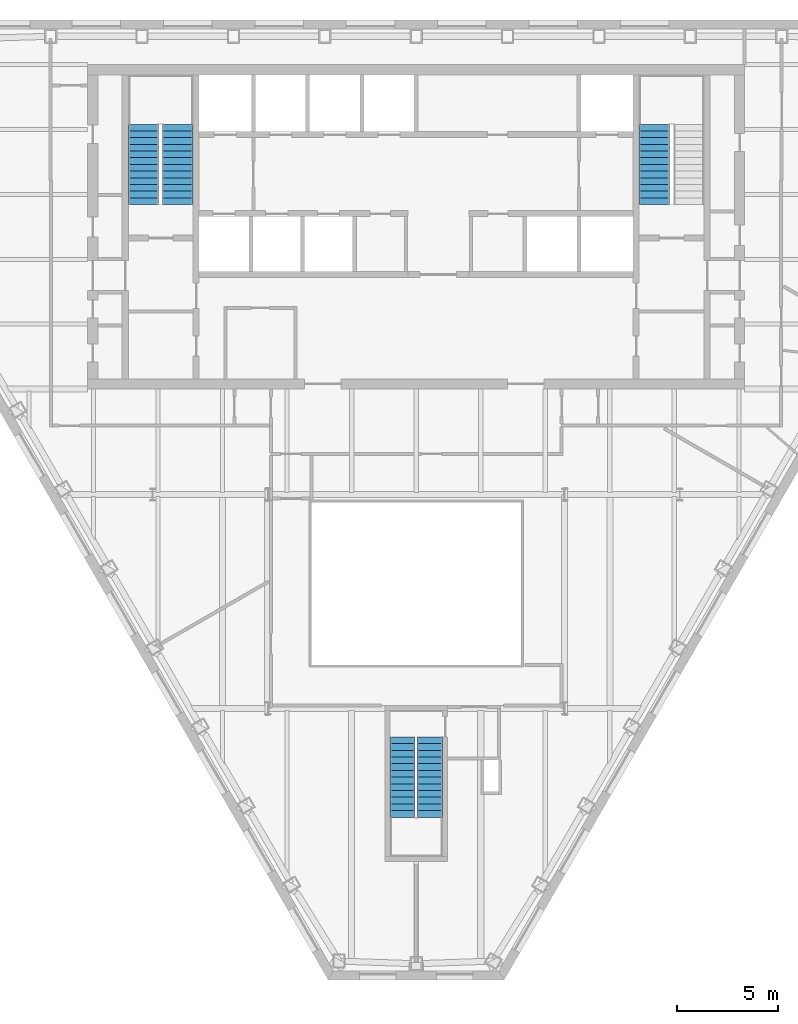
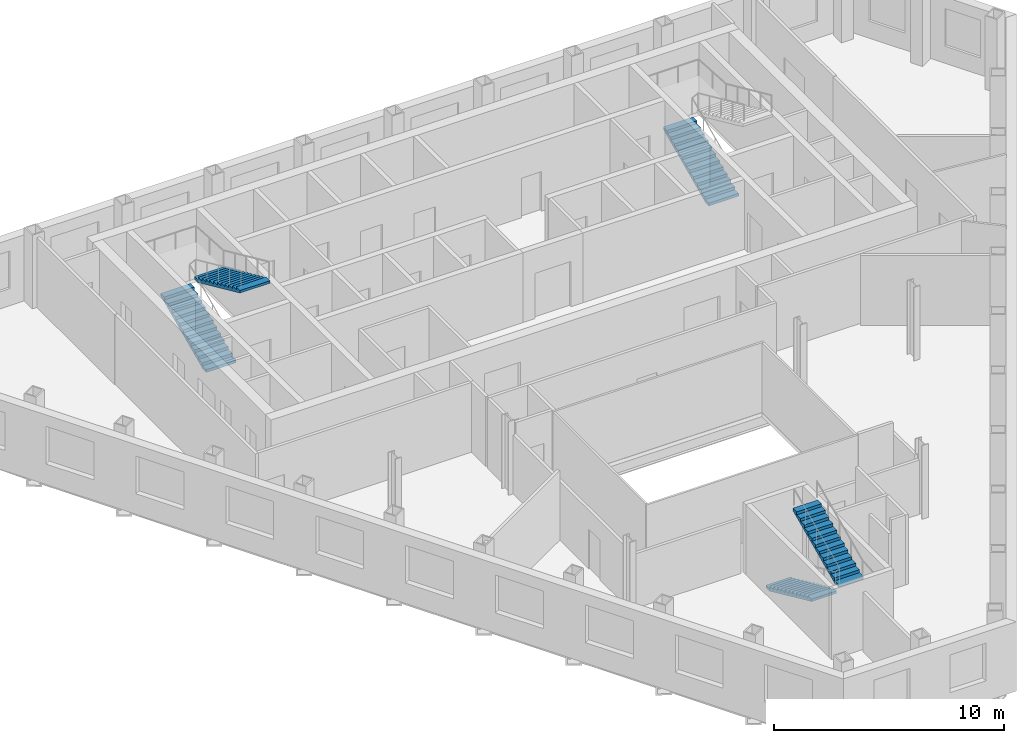
# One storey, part 9 of 11: 5 stair flights, 3 elements without a shape of their own.
"""IFC4 building model written with IfcOpenShell, lengths in metres."""

from ifc_helpers import new_model, si_unit, direction, frame, origin, place, context, subcontext, project, spatial, polygons, material, type_object, element, aggregate, save


model = new_model("IFC4")

# Units and contexts
model_context = context("Model", 3, precision=1e-05, world=origin(), true_north=direction((0.0, 1.0)))
body_context = subcontext(model_context, "Body", "Model", "MODEL_VIEW")
ifc_project = project(units=[si_unit("LENGTHUNIT", "METRE"), si_unit("AREAUNIT", "SQUARE_METRE"), si_unit("VOLUMEUNIT", "CUBIC_METRE"), si_unit("PLANEANGLEUNIT", "RADIAN"), si_unit("MASSUNIT", "GRAM", prefix="KILO")], contexts=[model_context])

# Site, building, storey
site_placement = place(None, origin())
site = spatial("IfcSite", under=ifc_project, at=site_placement, CompositionType="ELEMENT")
building_placement = place(site_placement, origin())
building = spatial("IfcBuilding", under=site, at=building_placement, Name="Njiva Tower", CompositionType="ELEMENT")
storey_placement = place(building_placement, frame((0.0, 0.0, 151.5)))
storey = spatial("IfcBuildingStorey", under=building, at=storey_placement, Name="L32", CompositionType="ELEMENT", Elevation=151.5)

# Stair, stair flights
ifc_material = material(Name="Concrete C40/50", Category="concrete")
stair_type_1 = type_object("IfcStairType", Name="ST1 Exit stair 1250", PredefinedType="HALF_TURN_STAIR", material=ifc_material)
stair_1_placement = place(storey_placement, origin())
stair_1 = element("IfcStair", 1, at=stair_1_placement, inside=storey, type_object=stair_type_1, Name="Stair C", PredefinedType="HALF_TURN_STAIR")
stair_flight_type_1 = type_object("IfcStairFlightType", Name="FL1 Stair flight 1250", PredefinedType="STRAIGHT", material=ifc_material)
stair_flight_1_placement = place(storey_placement, frame((-0.675, -15.16, 0.0), z_axis=(0.0, 0.0, 1.0), x_axis=(0.0, -1.0, 0.0)))
stair_flight_1 = element("IfcStairFlight", 2, at=stair_flight_1_placement, type_object=stair_flight_type_1, Name="ST-C flight 1", NumberOfRisers=13, NumberOfTreads=12, PredefinedType="STRAIGHT", RiserHeight=0.15, TreadLength=0.33, context=body_context, shape_type="Tessellation", body=[
    polygons([(0.0, 0.625, 0.0), (0.0, 0.3125, 0.0), (0.0, 0.0, 0.0), (0.0, -0.3125, 0.0), (0.0, -0.625, 0.0), (0.0, 0.625, 0.15), (0.0, 0.3125, 0.15), (0.0, 0.0, 0.15), (0.0, -0.3125, 0.15), (0.0, -0.625, 0.15), (0.33, 0.625, 0.15), (0.33, 0.3125, 0.15), (0.33, 0.0, 0.15), (0.33, -0.3125, 0.15), (0.33, -0.625, 0.15), (0.33, 0.625, 0.3), (0.33, 0.3125, 0.3), (0.33, 0.0, 0.3), (0.33, -0.3125, 0.3), (0.33, -0.625, 0.3), (0.66, 0.625, 0.3), (0.66, 0.3125, 0.3), (0.66, 0.0, 0.3), (0.66, -0.3125, 0.3), (0.66, -0.625, 0.3), (0.66, 0.625, 0.45), (0.66, 0.3125, 0.45), (0.66, 0.0, 0.45), (0.66, -0.3125, 0.45), (0.66, -0.625, 0.45), (0.99, 0.625, 0.45), (0.99, 0.3125, 0.45), (0.99, 0.0, 0.45), (0.99, -0.3125, 0.45), (0.99, -0.625, 0.45), (0.99, 0.625, 0.6), (0.99, 0.3125, 0.6), (0.99, 0.0, 0.6), (0.99, -0.3125, 0.6), (0.99, -0.625, 0.6), (1.32, 0.625, 0.6), (1.32, 0.3125, 0.6), (1.32, 0.0, 0.6), (1.32, -0.3125, 0.6), (1.32, -0.625, 0.6), (1.32, 0.625, 0.75), (1.32, 0.3125, 0.75), (1.32, 0.0, 0.75), (1.32, -0.3125, 0.75), (1.32, -0.625, 0.75), (1.65, 0.625, 0.75), (1.65, 0.3125, 0.75), (1.65, 0.0, 0.75), (1.65, -0.3125, 0.75), (1.65, -0.625, 0.75), (1.65, 0.625, 0.9), (1.65, 0.3125, 0.9), (1.65, 0.0, 0.9), (1.65, -0.3125, 0.9), (1.65, -0.625, 0.9), (1.98, 0.625, 0.9), (1.98, 0.3125, 0.9), (1.98, 0.0, 0.9), (1.98, -0.3125, 0.9), (1.98, -0.625, 0.9), (1.98, 0.625, 1.05), (1.98, 0.3125, 1.05), (1.98, 0.0, 1.05), (1.98, -0.3125, 1.05), (1.98, -0.625, 1.05), (2.31, 0.625, 1.05), (2.31, 0.3125, 1.05), (2.31, 0.0, 1.05), (2.31, -0.3125, 1.05), (2.31, -0.625, 1.05), (2.31, 0.625, 1.2), (2.31, 0.3125, 1.2), (2.31, 0.0, 1.2), (2.31, -0.3125, 1.2), (2.31, -0.625, 1.2), (2.64, 0.625, 1.2), (2.64, 0.3125, 1.2), (2.64, 0.0, 1.2), (2.64, -0.3125, 1.2), (2.64, -0.625, 1.2), (2.64, 0.625, 1.35), (2.64, 0.3125, 1.35), (2.64, 0.0, 1.35), (2.64, -0.3125, 1.35), (2.64, -0.625, 1.35), (2.97, 0.625, 1.35), (2.97, 0.3125, 1.35), (2.97, 0.0, 1.35), (2.97, -0.3125, 1.35), (2.97, -0.625, 1.35), (2.97, 0.625, 1.5), (2.97, 0.3125, 1.5), (2.97, 0.0, 1.5), (2.97, -0.3125, 1.5), (2.97, -0.625, 1.5), (3.3, 0.625, 1.5), (3.3, 0.3125, 1.5), (3.3, 0.0, 1.5), (3.3, -0.3125, 1.5), (3.3, -0.625, 1.5), (3.3, 0.625, 1.65), (3.3, 0.3125, 1.65), (3.3, 0.0, 1.65), (3.3, -0.3125, 1.65), (3.3, -0.625, 1.65), (3.63, 0.625, 1.65), (3.63, 0.3125, 1.65), (3.63, 0.0, 1.65), (3.63, -0.3125, 1.65), (3.63, -0.625, 1.65), (3.63, 0.625, 1.8), (3.63, 0.3125, 1.8), (3.63, 0.0, 1.8), (3.63, -0.3125, 1.8), (3.63, -0.625, 1.8), (3.96, 0.625, 1.8), (3.96, 0.3125, 1.8), (3.96, 0.0, 1.8), (3.96, -0.3125, 1.8), (3.96, -0.625, 1.8), (3.96, 0.625, 1.6682), (3.96, 0.3125, 1.6682), (3.96, 0.0, 1.6682), (3.96, -0.3125, 1.6682), (3.96, -0.625, 1.6682), (0.29, 0.625, 0.0), (0.29, 0.3125, 0.0), (0.29, 0.0, 0.0), (0.29, -0.3125, 0.0), (0.29, -0.625, 0.0)], [[[1, 6, 11, 16, 21, 26, 31, 36, 41, 46, 51, 56, 61, 66, 71, 76, 81, 86, 91, 96, 101, 106, 111, 116, 121, 126, 131]], [[135, 130, 125, 120, 115, 110, 105, 100, 95, 90, 85, 80, 75, 70, 65, 60, 55, 50, 45, 40, 35, 30, 25, 20, 15, 10, 5]], [[6, 1, 2, 7]], [[7, 2, 3, 8]], [[8, 3, 4, 9]], [[9, 4, 5, 10]], [[11, 6, 7, 12]], [[12, 7, 8, 13]], [[13, 8, 9, 14]], [[14, 9, 10, 15]], [[16, 11, 12, 17]], [[17, 12, 13, 18]], [[18, 13, 14, 19]], [[19, 14, 15, 20]], [[21, 16, 17, 22]], [[22, 17, 18, 23]], [[23, 18, 19, 24]], [[24, 19, 20, 25]], [[26, 21, 22, 27]], [[27, 22, 23, 28]], [[28, 23, 24, 29]], [[29, 24, 25, 30]], [[31, 26, 27, 32]], [[32, 27, 28, 33]], [[33, 28, 29, 34]], [[34, 29, 30, 35]], [[36, 31, 32, 37]], [[37, 32, 33, 38]], [[38, 33, 34, 39]], [[39, 34, 35, 40]], [[41, 36, 37, 42]], [[42, 37, 38, 43]], [[43, 38, 39, 44]], [[44, 39, 40, 45]], [[46, 41, 42, 47]], [[47, 42, 43, 48]], [[48, 43, 44, 49]], [[49, 44, 45, 50]], [[51, 46, 47, 52]], [[52, 47, 48, 53]], [[53, 48, 49, 54]], [[54, 49, 50, 55]], [[56, 51, 52, 57]], [[57, 52, 53, 58]], [[58, 53, 54, 59]], [[59, 54, 55, 60]], [[61, 56, 57, 62]], [[62, 57, 58, 63]], [[63, 58, 59, 64]], [[64, 59, 60, 65]], [[66, 61, 62, 67]], [[67, 62, 63, 68]], [[68, 63, 64, 69]], [[69, 64, 65, 70]], [[71, 66, 67, 72]], [[72, 67, 68, 73]], [[73, 68, 69, 74]], [[74, 69, 70, 75]], [[76, 71, 72, 77]], [[77, 72, 73, 78]], [[78, 73, 74, 79]], [[79, 74, 75, 80]], [[81, 76, 77, 82]], [[82, 77, 78, 83]], [[83, 78, 79, 84]], [[84, 79, 80, 85]], [[86, 81, 82, 87]], [[87, 82, 83, 88]], [[88, 83, 84, 89]], [[89, 84, 85, 90]], [[91, 86, 87, 92]], [[92, 87, 88, 93]], [[93, 88, 89, 94]], [[94, 89, 90, 95]], [[96, 91, 92, 97]], [[97, 92, 93, 98]], [[98, 93, 94, 99]], [[99, 94, 95, 100]], [[101, 96, 97, 102]], [[102, 97, 98, 103]], [[103, 98, 99, 104]], [[104, 99, 100, 105]], [[106, 101, 102, 107]], [[107, 102, 103, 108]], [[108, 103, 104, 109]], [[109, 104, 105, 110]], [[111, 106, 107, 112]], [[112, 107, 108, 113]], [[113, 108, 109, 114]], [[114, 109, 110, 115]], [[116, 111, 112, 117]], [[117, 112, 113, 118]], [[118, 113, 114, 119]], [[119, 114, 115, 120]], [[121, 116, 117, 122]], [[122, 117, 118, 123]], [[123, 118, 119, 124]], [[124, 119, 120, 125]], [[126, 121, 122, 127]], [[127, 122, 123, 128]], [[128, 123, 124, 129]], [[129, 124, 125, 130]], [[131, 126, 127, 132]], [[132, 127, 128, 133]], [[133, 128, 129, 134]], [[134, 129, 130, 135]], [[1, 131, 132, 2]], [[2, 132, 133, 3]], [[3, 133, 134, 4]], [[4, 134, 135, 5]]], closed=True),
])
stair_flight_2_placement = place(storey_placement, frame((0.675, -19.12, 1.95), z_axis=(0.0, 0.0, 1.0), x_axis=(0.0, 1.0, 0.0)))
stair_flight_2 = element("IfcStairFlight", 3, at=stair_flight_2_placement, type_object=stair_flight_type_1, Name="ST-C flight 2", NumberOfRisers=13, NumberOfTreads=12, PredefinedType="STRAIGHT", RiserHeight=0.15, TreadLength=0.33, context=body_context, shape_type="Tessellation", body=[
    polygons([(0.0, 0.625, 0.0), (0.0, 0.3125, 0.0), (0.0, 0.0, 0.0), (0.0, -0.3125, 0.0), (0.0, -0.625, 0.0), (0.0, 0.625, 0.15), (0.0, 0.3125, 0.15), (0.0, 0.0, 0.15), (0.0, -0.3125, 0.15), (0.0, -0.625, 0.15), (0.33, 0.625, 0.15), (0.33, 0.3125, 0.15), (0.33, 0.0, 0.15), (0.33, -0.3125, 0.15), (0.33, -0.625, 0.15), (0.33, 0.625, 0.3), (0.33, 0.3125, 0.3), (0.33, 0.0, 0.3), (0.33, -0.3125, 0.3), (0.33, -0.625, 0.3), (0.66, 0.625, 0.3), (0.66, 0.3125, 0.3), (0.66, 0.0, 0.3), (0.66, -0.3125, 0.3), (0.66, -0.625, 0.3), (0.66, 0.625, 0.45), (0.66, 0.3125, 0.45), (0.66, 0.0, 0.45), (0.66, -0.3125, 0.45), (0.66, -0.625, 0.45), (0.99, 0.625, 0.45), (0.99, 0.3125, 0.45), (0.99, 0.0, 0.45), (0.99, -0.3125, 0.45), (0.99, -0.625, 0.45), (0.99, 0.625, 0.6), (0.99, 0.3125, 0.6), (0.99, 0.0, 0.6), (0.99, -0.3125, 0.6), (0.99, -0.625, 0.6), (1.32, 0.625, 0.6), (1.32, 0.3125, 0.6), (1.32, 0.0, 0.6), (1.32, -0.3125, 0.6), (1.32, -0.625, 0.6), (1.32, 0.625, 0.75), (1.32, 0.3125, 0.75), (1.32, 0.0, 0.75), (1.32, -0.3125, 0.75), (1.32, -0.625, 0.75), (1.65, 0.625, 0.75), (1.65, 0.3125, 0.75), (1.65, 0.0, 0.75), (1.65, -0.3125, 0.75), (1.65, -0.625, 0.75), (1.65, 0.625, 0.9), (1.65, 0.3125, 0.9), (1.65, 0.0, 0.9), (1.65, -0.3125, 0.9), (1.65, -0.625, 0.9), (1.98, 0.625, 0.9), (1.98, 0.3125, 0.9), (1.98, 0.0, 0.9), (1.98, -0.3125, 0.9), (1.98, -0.625, 0.9), (1.98, 0.625, 1.05), (1.98, 0.3125, 1.05), (1.98, 0.0, 1.05), (1.98, -0.3125, 1.05), (1.98, -0.625, 1.05), (2.31, 0.625, 1.05), (2.31, 0.3125, 1.05), (2.31, 0.0, 1.05), (2.31, -0.3125, 1.05), (2.31, -0.625, 1.05), (2.31, 0.625, 1.2), (2.31, 0.3125, 1.2), (2.31, 0.0, 1.2), (2.31, -0.3125, 1.2), (2.31, -0.625, 1.2), (2.64, 0.625, 1.2), (2.64, 0.3125, 1.2), (2.64, 0.0, 1.2), (2.64, -0.3125, 1.2), (2.64, -0.625, 1.2), (2.64, 0.625, 1.35), (2.64, 0.3125, 1.35), (2.64, 0.0, 1.35), (2.64, -0.3125, 1.35), (2.64, -0.625, 1.35), (2.97, 0.625, 1.35), (2.97, 0.3125, 1.35), (2.97, 0.0, 1.35), (2.97, -0.3125, 1.35), (2.97, -0.625, 1.35), (2.97, 0.625, 1.5), (2.97, 0.3125, 1.5), (2.97, 0.0, 1.5), (2.97, -0.3125, 1.5), (2.97, -0.625, 1.5), (3.3, 0.625, 1.5), (3.3, 0.3125, 1.5), (3.3, 0.0, 1.5), (3.3, -0.3125, 1.5), (3.3, -0.625, 1.5), (3.3, 0.625, 1.65), (3.3, 0.3125, 1.65), (3.3, 0.0, 1.65), (3.3, -0.3125, 1.65), (3.3, -0.625, 1.65), (3.63, 0.625, 1.65), (3.63, 0.3125, 1.65), (3.63, 0.0, 1.65), (3.63, -0.3125, 1.65), (3.63, -0.625, 1.65), (3.63, 0.625, 1.8), (3.63, 0.3125, 1.8), (3.63, 0.0, 1.8), (3.63, -0.3125, 1.8), (3.63, -0.625, 1.8), (3.96, 0.625, 1.8), (3.96, 0.3125, 1.8), (3.96, 0.0, 1.8), (3.96, -0.3125, 1.8), (3.96, -0.625, 1.8), (3.96, 0.625, 1.6682), (3.96, 0.3125, 1.6682), (3.96, 0.0, 1.6682), (3.96, -0.3125, 1.6682), (3.96, -0.625, 1.6682), (0.29, 0.625, 0.0), (0.29, 0.3125, 0.0), (0.29, 0.0, 0.0), (0.29, -0.3125, 0.0), (0.29, -0.625, 0.0)], [[[1, 6, 11, 16, 21, 26, 31, 36, 41, 46, 51, 56, 61, 66, 71, 76, 81, 86, 91, 96, 101, 106, 111, 116, 121, 126, 131]], [[135, 130, 125, 120, 115, 110, 105, 100, 95, 90, 85, 80, 75, 70, 65, 60, 55, 50, 45, 40, 35, 30, 25, 20, 15, 10, 5]], [[6, 1, 2, 7]], [[7, 2, 3, 8]], [[8, 3, 4, 9]], [[9, 4, 5, 10]], [[11, 6, 7, 12]], [[12, 7, 8, 13]], [[13, 8, 9, 14]], [[14, 9, 10, 15]], [[16, 11, 12, 17]], [[17, 12, 13, 18]], [[18, 13, 14, 19]], [[19, 14, 15, 20]], [[21, 16, 17, 22]], [[22, 17, 18, 23]], [[23, 18, 19, 24]], [[24, 19, 20, 25]], [[26, 21, 22, 27]], [[27, 22, 23, 28]], [[28, 23, 24, 29]], [[29, 24, 25, 30]], [[31, 26, 27, 32]], [[32, 27, 28, 33]], [[33, 28, 29, 34]], [[34, 29, 30, 35]], [[36, 31, 32, 37]], [[37, 32, 33, 38]], [[38, 33, 34, 39]], [[39, 34, 35, 40]], [[41, 36, 37, 42]], [[42, 37, 38, 43]], [[43, 38, 39, 44]], [[44, 39, 40, 45]], [[46, 41, 42, 47]], [[47, 42, 43, 48]], [[48, 43, 44, 49]], [[49, 44, 45, 50]], [[51, 46, 47, 52]], [[52, 47, 48, 53]], [[53, 48, 49, 54]], [[54, 49, 50, 55]], [[56, 51, 52, 57]], [[57, 52, 53, 58]], [[58, 53, 54, 59]], [[59, 54, 55, 60]], [[61, 56, 57, 62]], [[62, 57, 58, 63]], [[63, 58, 59, 64]], [[64, 59, 60, 65]], [[66, 61, 62, 67]], [[67, 62, 63, 68]], [[68, 63, 64, 69]], [[69, 64, 65, 70]], [[71, 66, 67, 72]], [[72, 67, 68, 73]], [[73, 68, 69, 74]], [[74, 69, 70, 75]], [[76, 71, 72, 77]], [[77, 72, 73, 78]], [[78, 73, 74, 79]], [[79, 74, 75, 80]], [[81, 76, 77, 82]], [[82, 77, 78, 83]], [[83, 78, 79, 84]], [[84, 79, 80, 85]], [[86, 81, 82, 87]], [[87, 82, 83, 88]], [[88, 83, 84, 89]], [[89, 84, 85, 90]], [[91, 86, 87, 92]], [[92, 87, 88, 93]], [[93, 88, 89, 94]], [[94, 89, 90, 95]], [[96, 91, 92, 97]], [[97, 92, 93, 98]], [[98, 93, 94, 99]], [[99, 94, 95, 100]], [[101, 96, 97, 102]], [[102, 97, 98, 103]], [[103, 98, 99, 104]], [[104, 99, 100, 105]], [[106, 101, 102, 107]], [[107, 102, 103, 108]], [[108, 103, 104, 109]], [[109, 104, 105, 110]], [[111, 106, 107, 112]], [[112, 107, 108, 113]], [[113, 108, 109, 114]], [[114, 109, 110, 115]], [[116, 111, 112, 117]], [[117, 112, 113, 118]], [[118, 113, 114, 119]], [[119, 114, 115, 120]], [[121, 116, 117, 122]], [[122, 117, 118, 123]], [[123, 118, 119, 124]], [[124, 119, 120, 125]], [[126, 121, 122, 127]], [[127, 122, 123, 128]], [[128, 123, 124, 129]], [[129, 124, 125, 130]], [[131, 126, 127, 132]], [[132, 127, 128, 133]], [[133, 128, 129, 134]], [[134, 129, 130, 135]], [[1, 131, 132, 2]], [[2, 132, 133, 3]], [[3, 133, 134, 4]], [[4, 134, 135, 5]]], closed=True),
])
aggregate(stair_1, [stair_flight_1, stair_flight_2])

stair_type_2 = type_object("IfcStairType", Name="ST4 Exit stair 1500", PredefinedType="HALF_TURN_STAIR", material=ifc_material)
stair_2_placement = place(storey_placement, origin())
stair_2 = element("IfcStair", 4, at=stair_2_placement, inside=storey, type_object=stair_type_2, Name="Stair A", PredefinedType="HALF_TURN_STAIR")
stair_flight_type_2 = type_object("IfcStairFlightType", Name="FL4 Stair flight 1500", PredefinedType="STRAIGHT", material=ifc_material)
stair_flight_3_placement = place(storey_placement, frame((-13.45, 11.1, 0.0), z_axis=(0.0, 0.0, 1.0), x_axis=(0.0, 1.0, 0.0)))
stair_flight_3 = element("IfcStairFlight", 5, at=stair_flight_3_placement, type_object=stair_flight_type_2, Name="ST-A flight 1", NumberOfRisers=13, NumberOfTreads=12, PredefinedType="STRAIGHT", RiserHeight=0.15, TreadLength=0.33, context=body_context, shape_type="Tessellation", body=[
    polygons([(0.0, 0.75, 0.0), (0.0, 0.375, 0.0), (0.0, 0.0, 0.0), (0.0, -0.375, 0.0), (0.0, -0.75, 0.0), (0.0, 0.75, 0.15), (0.0, 0.375, 0.15), (0.0, 0.0, 0.15), (0.0, -0.375, 0.15), (0.0, -0.75, 0.15), (0.33, 0.75, 0.15), (0.33, 0.375, 0.15), (0.33, 0.0, 0.15), (0.33, -0.375, 0.15), (0.33, -0.75, 0.15), (0.33, 0.75, 0.3), (0.33, 0.375, 0.3), (0.33, 0.0, 0.3), (0.33, -0.375, 0.3), (0.33, -0.75, 0.3), (0.66, 0.75, 0.3), (0.66, 0.375, 0.3), (0.66, 0.0, 0.3), (0.66, -0.375, 0.3), (0.66, -0.75, 0.3), (0.66, 0.75, 0.45), (0.66, 0.375, 0.45), (0.66, 0.0, 0.45), (0.66, -0.375, 0.45), (0.66, -0.75, 0.45), (0.99, 0.75, 0.45), (0.99, 0.375, 0.45), (0.99, 0.0, 0.45), (0.99, -0.375, 0.45), (0.99, -0.75, 0.45), (0.99, 0.75, 0.6), (0.99, 0.375, 0.6), (0.99, 0.0, 0.6), (0.99, -0.375, 0.6), (0.99, -0.75, 0.6), (1.32, 0.75, 0.6), (1.32, 0.375, 0.6), (1.32, 0.0, 0.6), (1.32, -0.375, 0.6), (1.32, -0.75, 0.6), (1.32, 0.75, 0.75), (1.32, 0.375, 0.75), (1.32, 0.0, 0.75), (1.32, -0.375, 0.75), (1.32, -0.75, 0.75), (1.65, 0.75, 0.75), (1.65, 0.375, 0.75), (1.65, 0.0, 0.75), (1.65, -0.375, 0.75), (1.65, -0.75, 0.75), (1.65, 0.75, 0.9), (1.65, 0.375, 0.9), (1.65, 0.0, 0.9), (1.65, -0.375, 0.9), (1.65, -0.75, 0.9), (1.98, 0.75, 0.9), (1.98, 0.375, 0.9), (1.98, 0.0, 0.9), (1.98, -0.375, 0.9), (1.98, -0.75, 0.9), (1.98, 0.75, 1.05), (1.98, 0.375, 1.05), (1.98, 0.0, 1.05), (1.98, -0.375, 1.05), (1.98, -0.75, 1.05), (2.31, 0.75, 1.05), (2.31, 0.375, 1.05), (2.31, 0.0, 1.05), (2.31, -0.375, 1.05), (2.31, -0.75, 1.05), (2.31, 0.75, 1.2), (2.31, 0.375, 1.2), (2.31, 0.0, 1.2), (2.31, -0.375, 1.2), (2.31, -0.75, 1.2), (2.64, 0.75, 1.2), (2.64, 0.375, 1.2), (2.64, 0.0, 1.2), (2.64, -0.375, 1.2), (2.64, -0.75, 1.2), (2.64, 0.75, 1.35), (2.64, 0.375, 1.35), (2.64, 0.0, 1.35), (2.64, -0.375, 1.35), (2.64, -0.75, 1.35), (2.97, 0.75, 1.35), (2.97, 0.375, 1.35), (2.97, 0.0, 1.35), (2.97, -0.375, 1.35), (2.97, -0.75, 1.35), (2.97, 0.75, 1.5), (2.97, 0.375, 1.5), (2.97, 0.0, 1.5), (2.97, -0.375, 1.5), (2.97, -0.75, 1.5), (3.3, 0.75, 1.5), (3.3, 0.375, 1.5), (3.3, 0.0, 1.5), (3.3, -0.375, 1.5), (3.3, -0.75, 1.5), (3.3, 0.75, 1.65), (3.3, 0.375, 1.65), (3.3, 0.0, 1.65), (3.3, -0.375, 1.65), (3.3, -0.75, 1.65), (3.63, 0.75, 1.65), (3.63, 0.375, 1.65), (3.63, 0.0, 1.65), (3.63, -0.375, 1.65), (3.63, -0.75, 1.65), (3.63, 0.75, 1.8), (3.63, 0.375, 1.8), (3.63, 0.0, 1.8), (3.63, -0.375, 1.8), (3.63, -0.75, 1.8), (3.96, 0.75, 1.8), (3.96, 0.375, 1.8), (3.96, 0.0, 1.8), (3.96, -0.375, 1.8), (3.96, -0.75, 1.8), (3.96, 0.75, 1.6682), (3.96, 0.375, 1.6682), (3.96, 0.0, 1.6682), (3.96, -0.375, 1.6682), (3.96, -0.75, 1.6682), (0.29, 0.75, 0.0), (0.29, 0.375, 0.0), (0.29, 0.0, 0.0), (0.29, -0.375, 0.0), (0.29, -0.75, 0.0)], [[[1, 6, 11, 16, 21, 26, 31, 36, 41, 46, 51, 56, 61, 66, 71, 76, 81, 86, 91, 96, 101, 106, 111, 116, 121, 126, 131]], [[135, 130, 125, 120, 115, 110, 105, 100, 95, 90, 85, 80, 75, 70, 65, 60, 55, 50, 45, 40, 35, 30, 25, 20, 15, 10, 5]], [[6, 1, 2, 7]], [[7, 2, 3, 8]], [[8, 3, 4, 9]], [[9, 4, 5, 10]], [[11, 6, 7, 12]], [[12, 7, 8, 13]], [[13, 8, 9, 14]], [[14, 9, 10, 15]], [[16, 11, 12, 17]], [[17, 12, 13, 18]], [[18, 13, 14, 19]], [[19, 14, 15, 20]], [[21, 16, 17, 22]], [[22, 17, 18, 23]], [[23, 18, 19, 24]], [[24, 19, 20, 25]], [[26, 21, 22, 27]], [[27, 22, 23, 28]], [[28, 23, 24, 29]], [[29, 24, 25, 30]], [[31, 26, 27, 32]], [[32, 27, 28, 33]], [[33, 28, 29, 34]], [[34, 29, 30, 35]], [[36, 31, 32, 37]], [[37, 32, 33, 38]], [[38, 33, 34, 39]], [[39, 34, 35, 40]], [[41, 36, 37, 42]], [[42, 37, 38, 43]], [[43, 38, 39, 44]], [[44, 39, 40, 45]], [[46, 41, 42, 47]], [[47, 42, 43, 48]], [[48, 43, 44, 49]], [[49, 44, 45, 50]], [[51, 46, 47, 52]], [[52, 47, 48, 53]], [[53, 48, 49, 54]], [[54, 49, 50, 55]], [[56, 51, 52, 57]], [[57, 52, 53, 58]], [[58, 53, 54, 59]], [[59, 54, 55, 60]], [[61, 56, 57, 62]], [[62, 57, 58, 63]], [[63, 58, 59, 64]], [[64, 59, 60, 65]], [[66, 61, 62, 67]], [[67, 62, 63, 68]], [[68, 63, 64, 69]], [[69, 64, 65, 70]], [[71, 66, 67, 72]], [[72, 67, 68, 73]], [[73, 68, 69, 74]], [[74, 69, 70, 75]], [[76, 71, 72, 77]], [[77, 72, 73, 78]], [[78, 73, 74, 79]], [[79, 74, 75, 80]], [[81, 76, 77, 82]], [[82, 77, 78, 83]], [[83, 78, 79, 84]], [[84, 79, 80, 85]], [[86, 81, 82, 87]], [[87, 82, 83, 88]], [[88, 83, 84, 89]], [[89, 84, 85, 90]], [[91, 86, 87, 92]], [[92, 87, 88, 93]], [[93, 88, 89, 94]], [[94, 89, 90, 95]], [[96, 91, 92, 97]], [[97, 92, 93, 98]], [[98, 93, 94, 99]], [[99, 94, 95, 100]], [[101, 96, 97, 102]], [[102, 97, 98, 103]], [[103, 98, 99, 104]], [[104, 99, 100, 105]], [[106, 101, 102, 107]], [[107, 102, 103, 108]], [[108, 103, 104, 109]], [[109, 104, 105, 110]], [[111, 106, 107, 112]], [[112, 107, 108, 113]], [[113, 108, 109, 114]], [[114, 109, 110, 115]], [[116, 111, 112, 117]], [[117, 112, 113, 118]], [[118, 113, 114, 119]], [[119, 114, 115, 120]], [[121, 116, 117, 122]], [[122, 117, 118, 123]], [[123, 118, 119, 124]], [[124, 119, 120, 125]], [[126, 121, 122, 127]], [[127, 122, 123, 128]], [[128, 123, 124, 129]], [[129, 124, 125, 130]], [[131, 126, 127, 132]], [[132, 127, 128, 133]], [[133, 128, 129, 134]], [[134, 129, 130, 135]], [[1, 131, 132, 2]], [[2, 132, 133, 3]], [[3, 133, 134, 4]], [[4, 134, 135, 5]]], closed=True),
])
stair_flight_4_placement = place(storey_placement, frame((-11.75, 15.06, 1.95), z_axis=(0.0, 0.0, 1.0), x_axis=(0.0, -1.0, 0.0)))
stair_flight_4 = element("IfcStairFlight", 6, at=stair_flight_4_placement, type_object=stair_flight_type_2, Name="ST-A flight 2", NumberOfRisers=13, NumberOfTreads=12, PredefinedType="STRAIGHT", RiserHeight=0.15, TreadLength=0.33, context=body_context, shape_type="Tessellation", body=[
    polygons([(0.0, 0.75, 0.0), (0.0, 0.375, 0.0), (0.0, 0.0, 0.0), (0.0, -0.375, 0.0), (0.0, -0.75, 0.0), (0.0, 0.75, 0.15), (0.0, 0.375, 0.15), (0.0, 0.0, 0.15), (0.0, -0.375, 0.15), (0.0, -0.75, 0.15), (0.33, 0.75, 0.15), (0.33, 0.375, 0.15), (0.33, 0.0, 0.15), (0.33, -0.375, 0.15), (0.33, -0.75, 0.15), (0.33, 0.75, 0.3), (0.33, 0.375, 0.3), (0.33, 0.0, 0.3), (0.33, -0.375, 0.3), (0.33, -0.75, 0.3), (0.66, 0.75, 0.3), (0.66, 0.375, 0.3), (0.66, 0.0, 0.3), (0.66, -0.375, 0.3), (0.66, -0.75, 0.3), (0.66, 0.75, 0.45), (0.66, 0.375, 0.45), (0.66, 0.0, 0.45), (0.66, -0.375, 0.45), (0.66, -0.75, 0.45), (0.99, 0.75, 0.45), (0.99, 0.375, 0.45), (0.99, 0.0, 0.45), (0.99, -0.375, 0.45), (0.99, -0.75, 0.45), (0.99, 0.75, 0.6), (0.99, 0.375, 0.6), (0.99, 0.0, 0.6), (0.99, -0.375, 0.6), (0.99, -0.75, 0.6), (1.32, 0.75, 0.6), (1.32, 0.375, 0.6), (1.32, 0.0, 0.6), (1.32, -0.375, 0.6), (1.32, -0.75, 0.6), (1.32, 0.75, 0.75), (1.32, 0.375, 0.75), (1.32, 0.0, 0.75), (1.32, -0.375, 0.75), (1.32, -0.75, 0.75), (1.65, 0.75, 0.75), (1.65, 0.375, 0.75), (1.65, 0.0, 0.75), (1.65, -0.375, 0.75), (1.65, -0.75, 0.75), (1.65, 0.75, 0.9), (1.65, 0.375, 0.9), (1.65, 0.0, 0.9), (1.65, -0.375, 0.9), (1.65, -0.75, 0.9), (1.98, 0.75, 0.9), (1.98, 0.375, 0.9), (1.98, 0.0, 0.9), (1.98, -0.375, 0.9), (1.98, -0.75, 0.9), (1.98, 0.75, 1.05), (1.98, 0.375, 1.05), (1.98, 0.0, 1.05), (1.98, -0.375, 1.05), (1.98, -0.75, 1.05), (2.31, 0.75, 1.05), (2.31, 0.375, 1.05), (2.31, 0.0, 1.05), (2.31, -0.375, 1.05), (2.31, -0.75, 1.05), (2.31, 0.75, 1.2), (2.31, 0.375, 1.2), (2.31, 0.0, 1.2), (2.31, -0.375, 1.2), (2.31, -0.75, 1.2), (2.64, 0.75, 1.2), (2.64, 0.375, 1.2), (2.64, 0.0, 1.2), (2.64, -0.375, 1.2), (2.64, -0.75, 1.2), (2.64, 0.75, 1.35), (2.64, 0.375, 1.35), (2.64, 0.0, 1.35), (2.64, -0.375, 1.35), (2.64, -0.75, 1.35), (2.97, 0.75, 1.35), (2.97, 0.375, 1.35), (2.97, 0.0, 1.35), (2.97, -0.375, 1.35), (2.97, -0.75, 1.35), (2.97, 0.75, 1.5), (2.97, 0.375, 1.5), (2.97, 0.0, 1.5), (2.97, -0.375, 1.5), (2.97, -0.75, 1.5), (3.3, 0.75, 1.5), (3.3, 0.375, 1.5), (3.3, 0.0, 1.5), (3.3, -0.375, 1.5), (3.3, -0.75, 1.5), (3.3, 0.75, 1.65), (3.3, 0.375, 1.65), (3.3, 0.0, 1.65), (3.3, -0.375, 1.65), (3.3, -0.75, 1.65), (3.63, 0.75, 1.65), (3.63, 0.375, 1.65), (3.63, 0.0, 1.65), (3.63, -0.375, 1.65), (3.63, -0.75, 1.65), (3.63, 0.75, 1.8), (3.63, 0.375, 1.8), (3.63, 0.0, 1.8), (3.63, -0.375, 1.8), (3.63, -0.75, 1.8), (3.96, 0.75, 1.8), (3.96, 0.375, 1.8), (3.96, 0.0, 1.8), (3.96, -0.375, 1.8), (3.96, -0.75, 1.8), (3.96, 0.75, 1.6682), (3.96, 0.375, 1.6682), (3.96, 0.0, 1.6682), (3.96, -0.375, 1.6682), (3.96, -0.75, 1.6682), (0.29, 0.75, 0.0), (0.29, 0.375, 0.0), (0.29, 0.0, 0.0), (0.29, -0.375, 0.0), (0.29, -0.75, 0.0)], [[[1, 6, 11, 16, 21, 26, 31, 36, 41, 46, 51, 56, 61, 66, 71, 76, 81, 86, 91, 96, 101, 106, 111, 116, 121, 126, 131]], [[135, 130, 125, 120, 115, 110, 105, 100, 95, 90, 85, 80, 75, 70, 65, 60, 55, 50, 45, 40, 35, 30, 25, 20, 15, 10, 5]], [[6, 1, 2, 7]], [[7, 2, 3, 8]], [[8, 3, 4, 9]], [[9, 4, 5, 10]], [[11, 6, 7, 12]], [[12, 7, 8, 13]], [[13, 8, 9, 14]], [[14, 9, 10, 15]], [[16, 11, 12, 17]], [[17, 12, 13, 18]], [[18, 13, 14, 19]], [[19, 14, 15, 20]], [[21, 16, 17, 22]], [[22, 17, 18, 23]], [[23, 18, 19, 24]], [[24, 19, 20, 25]], [[26, 21, 22, 27]], [[27, 22, 23, 28]], [[28, 23, 24, 29]], [[29, 24, 25, 30]], [[31, 26, 27, 32]], [[32, 27, 28, 33]], [[33, 28, 29, 34]], [[34, 29, 30, 35]], [[36, 31, 32, 37]], [[37, 32, 33, 38]], [[38, 33, 34, 39]], [[39, 34, 35, 40]], [[41, 36, 37, 42]], [[42, 37, 38, 43]], [[43, 38, 39, 44]], [[44, 39, 40, 45]], [[46, 41, 42, 47]], [[47, 42, 43, 48]], [[48, 43, 44, 49]], [[49, 44, 45, 50]], [[51, 46, 47, 52]], [[52, 47, 48, 53]], [[53, 48, 49, 54]], [[54, 49, 50, 55]], [[56, 51, 52, 57]], [[57, 52, 53, 58]], [[58, 53, 54, 59]], [[59, 54, 55, 60]], [[61, 56, 57, 62]], [[62, 57, 58, 63]], [[63, 58, 59, 64]], [[64, 59, 60, 65]], [[66, 61, 62, 67]], [[67, 62, 63, 68]], [[68, 63, 64, 69]], [[69, 64, 65, 70]], [[71, 66, 67, 72]], [[72, 67, 68, 73]], [[73, 68, 69, 74]], [[74, 69, 70, 75]], [[76, 71, 72, 77]], [[77, 72, 73, 78]], [[78, 73, 74, 79]], [[79, 74, 75, 80]], [[81, 76, 77, 82]], [[82, 77, 78, 83]], [[83, 78, 79, 84]], [[84, 79, 80, 85]], [[86, 81, 82, 87]], [[87, 82, 83, 88]], [[88, 83, 84, 89]], [[89, 84, 85, 90]], [[91, 86, 87, 92]], [[92, 87, 88, 93]], [[93, 88, 89, 94]], [[94, 89, 90, 95]], [[96, 91, 92, 97]], [[97, 92, 93, 98]], [[98, 93, 94, 99]], [[99, 94, 95, 100]], [[101, 96, 97, 102]], [[102, 97, 98, 103]], [[103, 98, 99, 104]], [[104, 99, 100, 105]], [[106, 101, 102, 107]], [[107, 102, 103, 108]], [[108, 103, 104, 109]], [[109, 104, 105, 110]], [[111, 106, 107, 112]], [[112, 107, 108, 113]], [[113, 108, 109, 114]], [[114, 109, 110, 115]], [[116, 111, 112, 117]], [[117, 112, 113, 118]], [[118, 113, 114, 119]], [[119, 114, 115, 120]], [[121, 116, 117, 122]], [[122, 117, 118, 123]], [[123, 118, 119, 124]], [[124, 119, 120, 125]], [[126, 121, 122, 127]], [[127, 122, 123, 128]], [[128, 123, 124, 129]], [[129, 124, 125, 130]], [[131, 126, 127, 132]], [[132, 127, 128, 133]], [[133, 128, 129, 134]], [[134, 129, 130, 135]], [[1, 131, 132, 2]], [[2, 132, 133, 3]], [[3, 133, 134, 4]], [[4, 134, 135, 5]]], closed=True),
])
aggregate(stair_2, [stair_flight_3, stair_flight_4])

# Stair, stair flight
stair_3_placement = place(storey_placement, origin())
stair_3 = element("IfcStair", 7, at=stair_3_placement, inside=storey, type_object=stair_type_2, Name="Stair B", PredefinedType="HALF_TURN_STAIR")
stair_flight_5_placement = place(storey_placement, frame((11.75, 11.1, 0.0), z_axis=(0.0, 0.0, 1.0), x_axis=(0.0, 1.0, 0.0)))
stair_flight_5 = element("IfcStairFlight", 8, at=stair_flight_5_placement, type_object=stair_flight_type_2, Name="ST-B flight 1", NumberOfRisers=13, NumberOfTreads=12, PredefinedType="STRAIGHT", RiserHeight=0.15, TreadLength=0.33, context=body_context, shape_type="Tessellation", body=[
    polygons([(0.0, 0.75, 0.0), (0.0, 0.375, 0.0), (0.0, 0.0, 0.0), (0.0, -0.375, 0.0), (0.0, -0.75, 0.0), (0.0, 0.75, 0.15), (0.0, 0.375, 0.15), (0.0, 0.0, 0.15), (0.0, -0.375, 0.15), (0.0, -0.75, 0.15), (0.33, 0.75, 0.15), (0.33, 0.375, 0.15), (0.33, 0.0, 0.15), (0.33, -0.375, 0.15), (0.33, -0.75, 0.15), (0.33, 0.75, 0.3), (0.33, 0.375, 0.3), (0.33, 0.0, 0.3), (0.33, -0.375, 0.3), (0.33, -0.75, 0.3), (0.66, 0.75, 0.3), (0.66, 0.375, 0.3), (0.66, 0.0, 0.3), (0.66, -0.375, 0.3), (0.66, -0.75, 0.3), (0.66, 0.75, 0.45), (0.66, 0.375, 0.45), (0.66, 0.0, 0.45), (0.66, -0.375, 0.45), (0.66, -0.75, 0.45), (0.99, 0.75, 0.45), (0.99, 0.375, 0.45), (0.99, 0.0, 0.45), (0.99, -0.375, 0.45), (0.99, -0.75, 0.45), (0.99, 0.75, 0.6), (0.99, 0.375, 0.6), (0.99, 0.0, 0.6), (0.99, -0.375, 0.6), (0.99, -0.75, 0.6), (1.32, 0.75, 0.6), (1.32, 0.375, 0.6), (1.32, 0.0, 0.6), (1.32, -0.375, 0.6), (1.32, -0.75, 0.6), (1.32, 0.75, 0.75), (1.32, 0.375, 0.75), (1.32, 0.0, 0.75), (1.32, -0.375, 0.75), (1.32, -0.75, 0.75), (1.65, 0.75, 0.75), (1.65, 0.375, 0.75), (1.65, 0.0, 0.75), (1.65, -0.375, 0.75), (1.65, -0.75, 0.75), (1.65, 0.75, 0.9), (1.65, 0.375, 0.9), (1.65, 0.0, 0.9), (1.65, -0.375, 0.9), (1.65, -0.75, 0.9), (1.98, 0.75, 0.9), (1.98, 0.375, 0.9), (1.98, 0.0, 0.9), (1.98, -0.375, 0.9), (1.98, -0.75, 0.9), (1.98, 0.75, 1.05), (1.98, 0.375, 1.05), (1.98, 0.0, 1.05), (1.98, -0.375, 1.05), (1.98, -0.75, 1.05), (2.31, 0.75, 1.05), (2.31, 0.375, 1.05), (2.31, 0.0, 1.05), (2.31, -0.375, 1.05), (2.31, -0.75, 1.05), (2.31, 0.75, 1.2), (2.31, 0.375, 1.2), (2.31, 0.0, 1.2), (2.31, -0.375, 1.2), (2.31, -0.75, 1.2), (2.64, 0.75, 1.2), (2.64, 0.375, 1.2), (2.64, 0.0, 1.2), (2.64, -0.375, 1.2), (2.64, -0.75, 1.2), (2.64, 0.75, 1.35), (2.64, 0.375, 1.35), (2.64, 0.0, 1.35), (2.64, -0.375, 1.35), (2.64, -0.75, 1.35), (2.97, 0.75, 1.35), (2.97, 0.375, 1.35), (2.97, 0.0, 1.35), (2.97, -0.375, 1.35), (2.97, -0.75, 1.35), (2.97, 0.75, 1.5), (2.97, 0.375, 1.5), (2.97, 0.0, 1.5), (2.97, -0.375, 1.5), (2.97, -0.75, 1.5), (3.3, 0.75, 1.5), (3.3, 0.375, 1.5), (3.3, 0.0, 1.5), (3.3, -0.375, 1.5), (3.3, -0.75, 1.5), (3.3, 0.75, 1.65), (3.3, 0.375, 1.65), (3.3, 0.0, 1.65), (3.3, -0.375, 1.65), (3.3, -0.75, 1.65), (3.63, 0.75, 1.65), (3.63, 0.375, 1.65), (3.63, 0.0, 1.65), (3.63, -0.375, 1.65), (3.63, -0.75, 1.65), (3.63, 0.75, 1.8), (3.63, 0.375, 1.8), (3.63, 0.0, 1.8), (3.63, -0.375, 1.8), (3.63, -0.75, 1.8), (3.96, 0.75, 1.8), (3.96, 0.375, 1.8), (3.96, 0.0, 1.8), (3.96, -0.375, 1.8), (3.96, -0.75, 1.8), (3.96, 0.75, 1.6682), (3.96, 0.375, 1.6682), (3.96, 0.0, 1.6682), (3.96, -0.375, 1.6682), (3.96, -0.75, 1.6682), (0.29, 0.75, 0.0), (0.29, 0.375, 0.0), (0.29, 0.0, 0.0), (0.29, -0.375, 0.0), (0.29, -0.75, 0.0)], [[[1, 6, 11, 16, 21, 26, 31, 36, 41, 46, 51, 56, 61, 66, 71, 76, 81, 86, 91, 96, 101, 106, 111, 116, 121, 126, 131]], [[135, 130, 125, 120, 115, 110, 105, 100, 95, 90, 85, 80, 75, 70, 65, 60, 55, 50, 45, 40, 35, 30, 25, 20, 15, 10, 5]], [[6, 1, 2, 7]], [[7, 2, 3, 8]], [[8, 3, 4, 9]], [[9, 4, 5, 10]], [[11, 6, 7, 12]], [[12, 7, 8, 13]], [[13, 8, 9, 14]], [[14, 9, 10, 15]], [[16, 11, 12, 17]], [[17, 12, 13, 18]], [[18, 13, 14, 19]], [[19, 14, 15, 20]], [[21, 16, 17, 22]], [[22, 17, 18, 23]], [[23, 18, 19, 24]], [[24, 19, 20, 25]], [[26, 21, 22, 27]], [[27, 22, 23, 28]], [[28, 23, 24, 29]], [[29, 24, 25, 30]], [[31, 26, 27, 32]], [[32, 27, 28, 33]], [[33, 28, 29, 34]], [[34, 29, 30, 35]], [[36, 31, 32, 37]], [[37, 32, 33, 38]], [[38, 33, 34, 39]], [[39, 34, 35, 40]], [[41, 36, 37, 42]], [[42, 37, 38, 43]], [[43, 38, 39, 44]], [[44, 39, 40, 45]], [[46, 41, 42, 47]], [[47, 42, 43, 48]], [[48, 43, 44, 49]], [[49, 44, 45, 50]], [[51, 46, 47, 52]], [[52, 47, 48, 53]], [[53, 48, 49, 54]], [[54, 49, 50, 55]], [[56, 51, 52, 57]], [[57, 52, 53, 58]], [[58, 53, 54, 59]], [[59, 54, 55, 60]], [[61, 56, 57, 62]], [[62, 57, 58, 63]], [[63, 58, 59, 64]], [[64, 59, 60, 65]], [[66, 61, 62, 67]], [[67, 62, 63, 68]], [[68, 63, 64, 69]], [[69, 64, 65, 70]], [[71, 66, 67, 72]], [[72, 67, 68, 73]], [[73, 68, 69, 74]], [[74, 69, 70, 75]], [[76, 71, 72, 77]], [[77, 72, 73, 78]], [[78, 73, 74, 79]], [[79, 74, 75, 80]], [[81, 76, 77, 82]], [[82, 77, 78, 83]], [[83, 78, 79, 84]], [[84, 79, 80, 85]], [[86, 81, 82, 87]], [[87, 82, 83, 88]], [[88, 83, 84, 89]], [[89, 84, 85, 90]], [[91, 86, 87, 92]], [[92, 87, 88, 93]], [[93, 88, 89, 94]], [[94, 89, 90, 95]], [[96, 91, 92, 97]], [[97, 92, 93, 98]], [[98, 93, 94, 99]], [[99, 94, 95, 100]], [[101, 96, 97, 102]], [[102, 97, 98, 103]], [[103, 98, 99, 104]], [[104, 99, 100, 105]], [[106, 101, 102, 107]], [[107, 102, 103, 108]], [[108, 103, 104, 109]], [[109, 104, 105, 110]], [[111, 106, 107, 112]], [[112, 107, 108, 113]], [[113, 108, 109, 114]], [[114, 109, 110, 115]], [[116, 111, 112, 117]], [[117, 112, 113, 118]], [[118, 113, 114, 119]], [[119, 114, 115, 120]], [[121, 116, 117, 122]], [[122, 117, 118, 123]], [[123, 118, 119, 124]], [[124, 119, 120, 125]], [[126, 121, 122, 127]], [[127, 122, 123, 128]], [[128, 123, 124, 129]], [[129, 124, 125, 130]], [[131, 126, 127, 132]], [[132, 127, 128, 133]], [[133, 128, 129, 134]], [[134, 129, 130, 135]], [[1, 131, 132, 2]], [[2, 132, 133, 3]], [[3, 133, 134, 4]], [[4, 134, 135, 5]]], closed=True),
])
aggregate(stair_3, [stair_flight_5])

save(model, "model.ifc")
